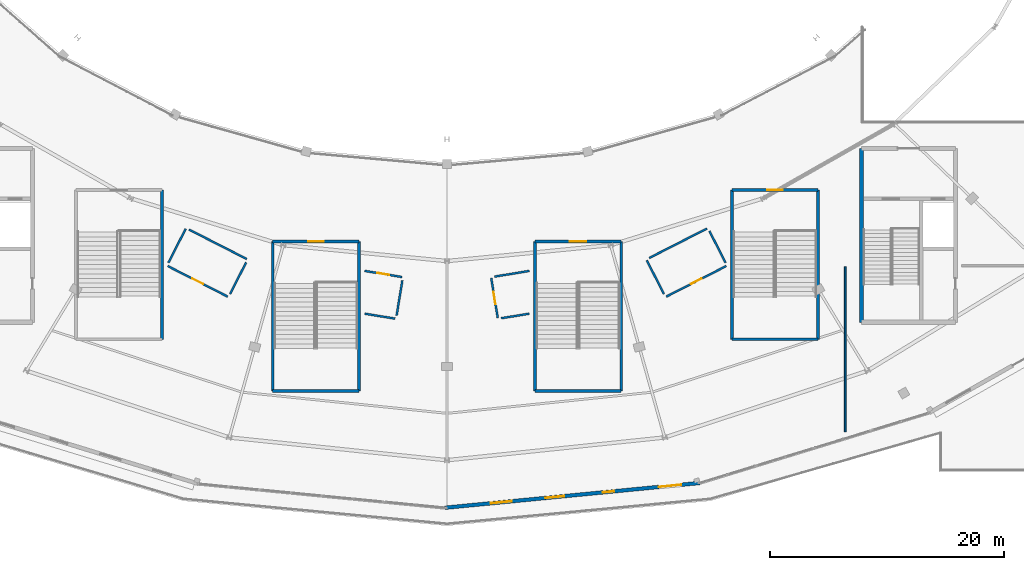
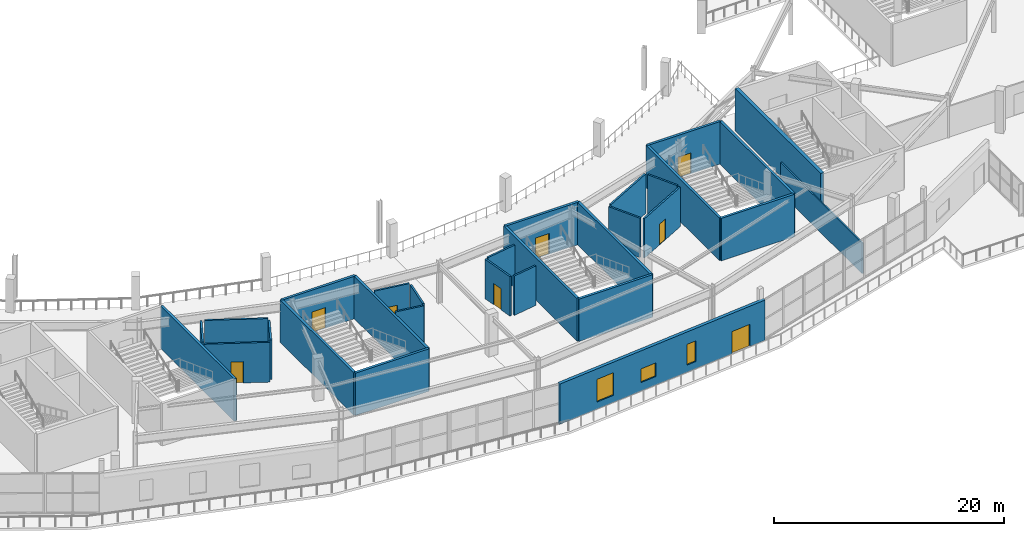
# One storey, part 87 of 123: 30 walls, 8 doors, 3 windows, 11 openings.
"""IFC4 building model written with IfcOpenShell, lengths in metres."""

from ifc_helpers import new_model, si_unit, direction, frame, frame_2d, origin, place, context, subcontext, project, spatial, rectangle, extrude, material, layer, layer_set, type_object, element, fill, save


model = new_model("IFC4")

# Units and contexts
model_context = context("Model", 3, precision=1e-05, world=origin(), true_north=direction((0.0, 1.0)))
body_context = subcontext(model_context, "Body", "Model", "MODEL_VIEW")
ifc_project = project(units=[si_unit("LENGTHUNIT", "METRE"), si_unit("AREAUNIT", "SQUARE_METRE"), si_unit("VOLUMEUNIT", "CUBIC_METRE"), si_unit("PLANEANGLEUNIT", "RADIAN"), si_unit("MASSUNIT", "GRAM", prefix="KILO")], contexts=[model_context])

# Site, building, storey
site_placement = place(None, origin())
site = spatial("IfcSite", under=ifc_project, at=site_placement, CompositionType="ELEMENT")
building_placement = place(site_placement, origin())
building = spatial("IfcBuilding", under=site, at=building_placement, Name="Kalgoora Escarpment Arena", CompositionType="ELEMENT")
storey_placement = place(building_placement, frame((0.0, 0.0, 9.89990234375)))
storey = spatial("IfcBuildingStorey", under=building, at=storey_placement, Name="L02", CompositionType="ELEMENT", Elevation=9.89990234375)

# Wall
ifc_material_1 = material(Name="Concrete N50 (fc' 50 MPa)", Category="concrete")
ifc_layer_1 = layer(ifc_material_1, 0.35009765625)
ifc_layer_set_1 = layer_set([ifc_layer_1], Name="WAL-CORE-350")
wall_type_1 = type_object("IfcWallType", Name="WAL-CORE-350", PredefinedType="SHEAR", material=ifc_layer_set_1)
wall_1_placement = place(storey_placement, frame((127.77490234375, 18.77490234375, 0.0), z_axis=(0.0, 0.0, 1.0), x_axis=(0.0, 1.0, 0.0)))
element("IfcWall", 1, at=wall_1_placement, inside=storey, type_object=wall_type_1, Name="Core C6 L02 west shear wall", PredefinedType="SHEAR", context=body_context, shape_type="SweptSolid", body=[
    extrude(rectangle(XDim=14.85009765625, YDim=0.35009765625, at=frame_2d((7.425048828125, 0.0))), origin(), (0.0, 0.0, 1.0), 4.5),
])

# Wall, openings, door, windows
ifc_material_2 = material(Name="Insulated limestone cladding precast wall 40 MPa", Category="masonry")
ifc_layer_2 = layer(ifc_material_2, 0.31494140625)
ifc_layer_set_2 = layer_set([ifc_layer_2], Name="WAL-EXT-315")
wall_type_2 = type_object("IfcWallType", Name="WAL-EXT-315", PredefinedType="SOLIDWALL", material=ifc_layer_set_2)
wall_2_placement = place(storey_placement, frame((113.996826171875, 5.059814453125, 0.0), z_axis=(0.0, 0.0, 1.0), x_axis=(-0.995299462798, -0.096845130773, 0.0)))
wall_2 = element("IfcWall", 2, at=wall_2_placement, inside=storey, type_object=wall_type_2, Name="L02 limestone-faced external wall 041", PredefinedType="SOLIDWALL", context=body_context, shape_type="SweptSolid", body=[
    extrude(rectangle(XDim=21.89697265625, YDim=0.31494140625, at=frame_2d((10.948486328125, 0.0))), origin(), (0.0, 0.0, 1.0), 4.26513671875),
])
opening_1_placement = place(wall_2_placement, frame((1.595947265625, 0.0, 0.0)))
opening_1 = element("IfcOpeningElement", 3, at=opening_1_placement, cuts=wall_2, Name="Opening TD21", PredefinedType="OPENING", context=body_context, shape_type="SweptSolid", body=[
    extrude(rectangle(XDim=1.949951171875, YDim=2.35009765625, at=frame_2d((0.97509765625, 1.175048828125))), frame((0.0, 0.16748046875, 0.0), z_axis=(0.0, -1.0, 0.0), x_axis=(1.0, 0.0, 0.0)), (0.0, 0.0, 1.0), 0.3349609375),
])
opening_2_placement = place(wall_2_placement, frame((7.375, 0.0, 0.75)))
opening_2 = element("IfcOpeningElement", 4, at=opening_2_placement, cuts=wall_2, Name="Opening W-17", PredefinedType="OPENING", context=body_context, shape_type="SweptSolid", body=[
    extrude(rectangle(XDim=0.949951171875, YDim=2.199951171875, at=frame_2d((0.47509765625, 1.10009765625))), frame((0.0, 0.16748046875, 0.0), z_axis=(0.0, -1.0, 0.0), x_axis=(1.0, 0.0, 0.0)), (0.0, 0.0, 1.0), 0.3349609375),
])
opening_3_placement = place(wall_2_placement, frame((11.64990234375, 0.0, 0.89990234375)))
opening_3 = element("IfcOpeningElement", 5, at=opening_3_placement, cuts=wall_2, Name="Opening W-19", PredefinedType="OPENING", context=body_context, shape_type="SweptSolid", body=[
    extrude(rectangle(XDim=1.60009765625, YDim=1.449951171875, at=frame_2d((0.800048828125, 0.72509765625))), frame((0.0, 0.16748046875, 0.0), z_axis=(0.0, -1.0, 0.0), x_axis=(1.0, 0.0, 0.0)), (0.0, 0.0, 1.0), 0.3349609375),
])
opening_4_placement = place(wall_2_placement, frame((16.14990234375, 0.0, 0.75)))
opening_4 = element("IfcOpeningElement", 6, at=opening_4_placement, cuts=wall_2, Name="Opening W-01", PredefinedType="OPENING", context=body_context, shape_type="SweptSolid", body=[
    extrude(rectangle(XDim=1.800048828125, YDim=2.39990234375, at=frame_2d((0.89990234375, 1.199951171875))), frame((0.0, 0.16748046875, 0.0), z_axis=(0.0, -1.0, 0.0), x_axis=(1.0, 0.0, 0.0)), (0.0, 0.0, 1.0), 0.3349609375),
])
ifc_material_3 = material(Name="Thermally broken aluminium glazed terrace double door", Category="aluminium")
door_type_1 = type_object("IfcDoorType", Name="DR-TERR-1950", OperationType="NOTDEFINED", PredefinedType="DOOR", material=ifc_material_3)
door_1_placement = place(opening_1_placement, origin())
door_1 = element("IfcDoor", 7, at=door_1_placement, inside=storey, type_object=door_type_1, Name="Middle Planted Elliptical Garden Promenade access door TD21", OperationType="DOUBLE_DOOR_SINGLE_SWING", OverallHeight=2.35009765625, OverallWidth=1.949951171875, PredefinedType="DOOR", context=body_context, shape_type="SweptSolid", body=[
    extrude(rectangle(XDim=1.949951171875, YDim=2.35009765625, at=frame_2d((0.97509765625, 1.175048828125))), frame((0.0, 0.02490234375, 0.0), z_axis=(0.0, -1.0, 0.0), x_axis=(1.0, 0.0, 0.0)), (0.0, 0.0, 1.0), 0.050048828125),
])
fill(opening_1, door_1)
ifc_material_4 = material(Name="Low-E solar-control double glazing in champagne frame", Category="glass")
window_type_1 = type_object("IfcWindowType", Name="WIN-BOH-1600x1450", PartitioningType="SINGLE_PANEL", PredefinedType="WINDOW", material=ifc_material_4)
window_1_placement = place(opening_3_placement, origin())
window_1 = element("IfcWindow", 8, at=window_1_placement, inside=storey, type_object=window_type_1, Name="L02 scheduled facade window 037", OverallHeight=1.449951171875, OverallWidth=1.60009765625, PartitioningType="SINGLE_PANEL", PredefinedType="WINDOW", context=body_context, shape_type="SweptSolid", body=[
    extrude(rectangle(XDim=1.60009765625, YDim=1.449951171875, at=frame_2d((0.800048828125, 0.72509765625))), frame((0.0, 0.030029296875, 0.0), z_axis=(0.0, -1.0, 0.0), x_axis=(1.0, 0.0, 0.0)), (0.0, 0.0, 1.0), 0.06005859375),
])
fill(opening_3, window_1)
ifc_material_5 = material(Name="Low-E solar-control double glazing in champagne frame", Category="glass")
window_type_2 = type_object("IfcWindowType", Name="WIN-DECO-1800x2400", PartitioningType="SINGLE_PANEL", PredefinedType="WINDOW", material=ifc_material_5)
window_2_placement = place(opening_4_placement, origin())
window_2 = element("IfcWindow", 9, at=window_2_placement, inside=storey, type_object=window_type_2, Name="L02 scheduled facade window 038", OverallHeight=2.39990234375, OverallWidth=1.800048828125, PartitioningType="SINGLE_PANEL", PredefinedType="WINDOW", context=body_context, shape_type="SweptSolid", body=[
    extrude(rectangle(XDim=1.800048828125, YDim=2.39990234375, at=frame_2d((0.89990234375, 1.199951171875))), frame((0.0, 0.030029296875, 0.0), z_axis=(0.0, -1.0, 0.0), x_axis=(1.0, 0.0, 0.0)), (0.0, 0.0, 1.0), 0.06005859375),
])
fill(opening_4, window_2)
ifc_material_6 = material(Name="Low-E solar-control double glazing in champagne frame", Category="glass")
window_type_3 = type_object("IfcWindowType", Name="WIN-SLOT-0950x2200", PartitioningType="SINGLE_PANEL", PredefinedType="WINDOW", material=ifc_material_6)
window_3_placement = place(opening_2_placement, origin())
window_3 = element("IfcWindow", 10, at=window_3_placement, inside=storey, type_object=window_type_3, Name="L02 scheduled facade window 036", OverallHeight=2.199951171875, OverallWidth=0.949951171875, PartitioningType="SINGLE_PANEL", PredefinedType="WINDOW", context=body_context, shape_type="SweptSolid", body=[
    extrude(rectangle(XDim=0.949951171875, YDim=2.199951171875, at=frame_2d((0.47509765625, 1.10009765625))), frame((0.0, 0.030029296875, 0.0), z_axis=(0.0, -1.0, 0.0), x_axis=(1.0, 0.0, 0.0)), (0.0, 0.0, 1.0), 0.06005859375),
])
fill(opening_2, window_3)

# Walls
ifc_material_7 = material(Name="Insulated steel-stud acoustic partition", Category="steel")
ifc_layer_3 = layer(ifc_material_7, 0.14501953125)
ifc_layer_set_3 = layer_set([ifc_layer_3], Name="WAL-ROOM-145")
wall_type_3 = type_object("IfcWallType", Name="WAL-ROOM-145", PredefinedType="PARTITIONING", material=ifc_layer_set_3)
wall_3_placement = place(storey_placement, frame((126.39990234375, 9.409912109375, 0.0), z_axis=(0.0, 0.0, 1.0), x_axis=(0.0, 1.0, 0.0)))
element("IfcWall", 11, at=wall_3_placement, inside=storey, type_object=wall_type_3, Name="L02 Club Finishing Kitchen partition wall", PredefinedType="PARTITIONING", context=body_context, shape_type="SweptSolid", body=[
    extrude(rectangle(XDim=14.110107421875, YDim=0.14501953125, at=frame_2d((7.05517578125, 0.0))), origin(), (0.0, 0.0, 1.0), 3.2451171875),
])
ifc_material_8 = material(Name="Concrete N50 (fc' 50 MPa)", Category="concrete")
ifc_layer_4 = layer(ifc_material_8, 0.25)
ifc_layer_set_4 = layer_set([ifc_layer_4], Name="WAL-STAIR-250")
wall_type_4 = type_object("IfcWallType", Name="WAL-STAIR-250", PredefinedType="SHEAR", material=ifc_layer_set_4)
wall_4_placement = place(storey_placement, frame((68.074951171875, 17.324951171875, 0.0), z_axis=(0.0, 0.0, 1.0), x_axis=(0.0, 1.0, 0.0)))
element("IfcWall", 12, at=wall_4_placement, inside=storey, type_object=wall_type_4, Name="Exit stair ST13 L02 east wall", PredefinedType="SHEAR", context=body_context, shape_type="SweptSolid", body=[
    extrude(rectangle(XDim=12.75, YDim=0.25, at=frame_2d((6.375, 0.0))), origin(), (0.0, 0.0, 1.0), 4.5),
])
wall_5_placement = place(storey_placement, frame((77.52490234375, 12.925048828125, 0.0), z_axis=(0.0, 0.0, 1.0), x_axis=(1.0, 0.0, 0.0)))
element("IfcWall", 13, at=wall_5_placement, inside=storey, type_object=wall_type_4, Name="Exit stair ST14 L02 south wall", PredefinedType="SHEAR", context=body_context, shape_type="SweptSolid", body=[
    extrude(rectangle(XDim=7.35009765625, YDim=0.25, at=frame_2d((3.675048828125, 0.0))), origin(), (0.0, 0.0, 1.0), 4.5),
])

# Wall, opening, door
wall_6_placement = place(storey_placement, frame((77.52490234375, 25.675048828125, 0.0), z_axis=(0.0, 0.0, 1.0), x_axis=(1.0, 0.0, 0.0)))
wall_6 = element("IfcWall", 14, at=wall_6_placement, inside=storey, type_object=wall_type_4, Name="Exit stair ST14 L02 north wall", PredefinedType="SHEAR", context=body_context, shape_type="SweptSolid", body=[
    extrude(rectangle(XDim=7.35009765625, YDim=0.25, at=frame_2d((3.675048828125, 0.0))), origin(), (0.0, 0.0, 1.0), 4.5),
])
opening_5_placement = place(wall_6_placement, frame((3.014892578125, 0.0, 0.0)))
opening_5 = element("IfcOpeningElement", 15, at=opening_5_placement, cuts=wall_6, Name="Opening FD-ST14", PredefinedType="OPENING", context=body_context, shape_type="SweptSolid", body=[
    extrude(rectangle(XDim=1.320068359375, YDim=2.199951171875, at=frame_2d((0.66015625, 1.10009765625))), frame((0.0, 0.135009765625, 0.0), z_axis=(0.0, -1.0, 0.0), x_axis=(1.0, 0.0, 0.0)), (0.0, 0.0, 1.0), 0.27001953125),
])
ifc_material_9 = material(Name="Fire-rated steel stair leaf with vision panel", Category="steel")
door_type_2 = type_object("IfcDoorType", Name="DR-STAIR-1320", OperationType="NOTDEFINED", PredefinedType="DOOR", material=ifc_material_9)
door_2_placement = place(opening_5_placement, origin())
door_2 = element("IfcDoor", 16, at=door_2_placement, inside=storey, type_object=door_type_2, Name="Fire-isolated stair ST14 L02 egress door", OperationType="SINGLE_SWING_RIGHT", OverallHeight=2.199951171875, OverallWidth=1.320068359375, PredefinedType="DOOR", context=body_context, shape_type="SweptSolid", body=[
    extrude(rectangle(XDim=1.320068359375, YDim=2.199951171875, at=frame_2d((0.66015625, 1.10009765625))), frame((0.0, 0.02490234375, 0.0), z_axis=(0.0, -1.0, 0.0), x_axis=(1.0, 0.0, 0.0)), (0.0, 0.0, 1.0), 0.050048828125),
])
fill(opening_5, door_2)

# Walls
for number, where, z_axis, x_axis, name in (
    (17, (77.52490234375, 12.925048828125, 0.0), (0.0, 0.0, 1.0), (0.0, 1.0, 0.0), "Exit stair ST14 L02 west wall"),
    (18, (84.875, 12.925048828125, 0.0), (0.0, 0.0, 1.0), (0.0, 1.0, 0.0), "Exit stair ST14 L02 east wall"),
):
    element("IfcWall", number, at=place(storey_placement, frame(where, z_axis=z_axis, x_axis=x_axis)), inside=storey, type_object=wall_type_4, Name=name, PredefinedType="SHEAR", context=body_context, shape_type="SweptSolid", body=[
        extrude(rectangle(XDim=12.75, YDim=0.25, at=frame_2d((6.375, 0.0))), origin(), (0.0, 0.0, 1.0), 4.5),
    ])
wall_7_placement = place(storey_placement, frame((99.925048828125, 12.925048828125, 0.0), z_axis=(0.0, 0.0, 1.0), x_axis=(1.0, 0.0, 0.0)))
element("IfcWall", 19, at=wall_7_placement, inside=storey, type_object=wall_type_4, Name="Exit stair ST15 L02 south wall", PredefinedType="SHEAR", context=body_context, shape_type="SweptSolid", body=[
    extrude(rectangle(XDim=7.349853515625, YDim=0.25, at=frame_2d((3.6748046875, 0.0))), origin(), (0.0, 0.0, 1.0), 4.5),
])

# Wall, opening, door
wall_8_placement = place(storey_placement, frame((99.925048828125, 25.675048828125, 0.0), z_axis=(0.0, 0.0, 1.0), x_axis=(1.0, 0.0, 0.0)))
wall_8 = element("IfcWall", 20, at=wall_8_placement, inside=storey, type_object=wall_type_4, Name="Exit stair ST15 L02 north wall", PredefinedType="SHEAR", context=body_context, shape_type="SweptSolid", body=[
    extrude(rectangle(XDim=7.349853515625, YDim=0.25, at=frame_2d((3.6748046875, 0.0))), origin(), (0.0, 0.0, 1.0), 4.5),
])
opening_6_placement = place(wall_8_placement, frame((2.97509765625, 0.0, 0.0)))
opening_6 = element("IfcOpeningElement", 21, at=opening_6_placement, cuts=wall_8, Name="Opening FD-ST15", PredefinedType="OPENING", context=body_context, shape_type="SweptSolid", body=[
    extrude(rectangle(XDim=1.39990234375, YDim=2.199951171875, at=frame_2d((0.699951171875, 1.10009765625))), frame((0.0, 0.135009765625, 0.0), z_axis=(0.0, -1.0, 0.0), x_axis=(1.0, 0.0, 0.0)), (0.0, 0.0, 1.0), 0.27001953125),
])
ifc_material_10 = material(Name="Fire-rated steel stair leaf with vision panel", Category="steel")
door_type_3 = type_object("IfcDoorType", Name="DR-STAIR-1400", OperationType="NOTDEFINED", PredefinedType="DOOR", material=ifc_material_10)
door_3_placement = place(opening_6_placement, origin())
door_3 = element("IfcDoor", 22, at=door_3_placement, inside=storey, type_object=door_type_3, Name="Fire-isolated stair ST15 L02 egress door", OperationType="SINGLE_SWING_LEFT", OverallHeight=2.199951171875, OverallWidth=1.39990234375, PredefinedType="DOOR", context=body_context, shape_type="SweptSolid", body=[
    extrude(rectangle(XDim=1.39990234375, YDim=2.199951171875, at=frame_2d((0.699951171875, 1.10009765625))), frame((0.0, 0.02490234375, 0.0), z_axis=(0.0, -1.0, 0.0), x_axis=(1.0, 0.0, 0.0)), (0.0, 0.0, 1.0), 0.050048828125),
])
fill(opening_6, door_3)

# Walls
for number, where, z_axis, x_axis, name in (
    (23, (99.925048828125, 12.925048828125, 0.0), (0.0, 0.0, 1.0), (0.0, 1.0, 0.0), "Exit stair ST15 L02 west wall"),
    (24, (107.27490234375, 12.925048828125, 0.0), (0.0, 0.0, 1.0), (0.0, 1.0, 0.0), "Exit stair ST15 L02 east wall"),
):
    element("IfcWall", number, at=place(storey_placement, frame(where, z_axis=z_axis, x_axis=x_axis)), inside=storey, type_object=wall_type_4, Name=name, PredefinedType="SHEAR", context=body_context, shape_type="SweptSolid", body=[
        extrude(rectangle(XDim=12.75, YDim=0.25, at=frame_2d((6.375, 0.0))), origin(), (0.0, 0.0, 1.0), 4.5),
    ])
wall_9_placement = place(storey_placement, frame((116.72509765625, 17.324951171875, 0.0), z_axis=(0.0, 0.0, 1.0), x_axis=(1.0, 0.0, 0.0)))
element("IfcWall", 25, at=wall_9_placement, inside=storey, type_object=wall_type_4, Name="Exit stair ST16 L02 south wall", PredefinedType="SHEAR", context=body_context, shape_type="SweptSolid", body=[
    extrude(rectangle(XDim=7.349853515625, YDim=0.25, at=frame_2d((3.6748046875, 0.0))), origin(), (0.0, 0.0, 1.0), 4.5),
])

# Wall, opening, door
wall_10_placement = place(storey_placement, frame((116.72509765625, 30.074951171875, 0.0), z_axis=(0.0, 0.0, 1.0), x_axis=(1.0, 0.0, 0.0)))
wall_10 = element("IfcWall", 26, at=wall_10_placement, inside=storey, type_object=wall_type_4, Name="Exit stair ST16 L02 north wall", PredefinedType="SHEAR", context=body_context, shape_type="SweptSolid", body=[
    extrude(rectangle(XDim=7.349853515625, YDim=0.25, at=frame_2d((3.6748046875, 0.0))), origin(), (0.0, 0.0, 1.0), 4.5),
])
opening_7_placement = place(wall_10_placement, frame((3.014892578125, 0.0, 0.0)))
opening_7 = element("IfcOpeningElement", 27, at=opening_7_placement, cuts=wall_10, Name="Opening FD-ST16", PredefinedType="OPENING", context=body_context, shape_type="SweptSolid", body=[
    extrude(rectangle(XDim=1.320068359375, YDim=2.199951171875, at=frame_2d((0.66015625, 1.10009765625))), frame((0.0, 0.135009765625, 0.0), z_axis=(0.0, -1.0, 0.0), x_axis=(1.0, 0.0, 0.0)), (0.0, 0.0, 1.0), 0.27001953125),
])
door_4_placement = place(opening_7_placement, origin())
door_4 = element("IfcDoor", 28, at=door_4_placement, inside=storey, type_object=door_type_2, Name="Fire-isolated stair ST16 L02 egress door", OperationType="SINGLE_SWING_LEFT", OverallHeight=2.199951171875, OverallWidth=1.320068359375, PredefinedType="DOOR", context=body_context, shape_type="SweptSolid", body=[
    extrude(rectangle(XDim=1.320068359375, YDim=2.199951171875, at=frame_2d((0.66015625, 1.10009765625))), frame((0.0, 0.02490234375, 0.0), z_axis=(0.0, -1.0, 0.0), x_axis=(1.0, 0.0, 0.0)), (0.0, 0.0, 1.0), 0.050048828125),
])
fill(opening_7, door_4)

# Walls
for number, where, z_axis, x_axis, name in (
    (29, (116.72509765625, 17.324951171875, 0.0), (0.0, 0.0, 1.0), (0.0, 1.0, 0.0), "Exit stair ST16 L02 west wall"),
    (30, (124.074951171875, 17.324951171875, 0.0), (0.0, 0.0, 1.0), (0.0, 1.0, 0.0), "Exit stair ST16 L02 east wall"),
):
    element("IfcWall", number, at=place(storey_placement, frame(where, z_axis=z_axis, x_axis=x_axis)), inside=storey, type_object=wall_type_4, Name=name, PredefinedType="SHEAR", context=body_context, shape_type="SweptSolid", body=[
        extrude(rectangle(XDim=12.75, YDim=0.25, at=frame_2d((6.375, 0.0))), origin(), (0.0, 0.0, 1.0), 4.5),
    ])

# Wall, opening, door
ifc_material_11 = material(Name="Twin-stud acoustic plasterboard FRL -/60/60", Category="gypsum")
ifc_layer_5 = layer(ifc_material_11, 0.175048828125)
ifc_layer_set_5 = layer_set([ifc_layer_5], Name="WAL-SUITE-175")
wall_type_5 = type_object("IfcWallType", Name="WAL-SUITE-175", PredefinedType="PARTITIONING", material=ifc_layer_set_5)
wall_11_placement = place(storey_placement, frame((73.676025390625, 20.96630859375, 0.0), z_axis=(0.0, 0.0, 1.0), x_axis=(-0.890831838742, 0.454333176297, 0.0)))
wall_11 = element("IfcWall", 31, at=wall_11_placement, inside=storey, type_object=wall_type_5, Name="L02 Hospitality Suite HS13 partition wall", PredefinedType="PARTITIONING", context=body_context, shape_type="SweptSolid", body=[
    extrude(rectangle(XDim=5.73583984375, YDim=0.175048828125, at=frame_2d((2.867919921875, 0.0))), origin(), (0.0, 0.0, 1.0), 4.22021484375),
])
opening_8_placement = place(wall_11_placement, frame((2.343017578125, 0.0, 0.0)))
opening_8 = element("IfcOpeningElement", 32, at=opening_8_placement, cuts=wall_11, Name="Opening FD-I088", PredefinedType="OPENING", context=body_context, shape_type="SweptSolid", body=[
    extrude(rectangle(XDim=1.050048828125, YDim=2.25, at=frame_2d((0.52490234375, 1.125))), frame((0.0, 0.097412109375, 0.0), z_axis=(0.0, -1.0, 0.0), x_axis=(1.0, 0.0, 0.0)), (0.0, 0.0, 1.0), 0.195068359375),
])
ifc_material_12 = material(Name="Veneered timber acoustic suite entrance door", Category="wood")
door_type_4 = type_object("IfcDoorType", Name="DR-SUITE-1050", OperationType="NOTDEFINED", PredefinedType="DOOR", material=ifc_material_12)
door_5_placement = place(opening_8_placement, origin())
door_5 = element("IfcDoor", 33, at=door_5_placement, inside=storey, type_object=door_type_4, Name="Hospitality Suite HS13 entrance door", OperationType="SINGLE_SWING_RIGHT", OverallHeight=2.25, OverallWidth=1.050048828125, PredefinedType="DOOR", context=body_context, shape_type="SweptSolid", body=[
    extrude(rectangle(XDim=1.050048828125, YDim=2.25, at=frame_2d((0.52490234375, 1.125))), frame((0.0, 0.02490234375, 0.0), z_axis=(0.0, -1.0, 0.0), x_axis=(1.0, 0.0, 0.0)), (0.0, 0.0, 1.0), 0.050048828125),
])
fill(opening_8, door_5)

# Walls
wall_12_placement = place(storey_placement, frame((68.6201171875, 23.86279296875, 0.0), z_axis=(0.0, 0.0, 1.0), x_axis=(0.454320096684, 0.890838509354, 0.0)))
element("IfcWall", 34, at=wall_12_placement, inside=storey, type_object=wall_type_5, Name="L02 Hospitality Suite HS13 partition wall", PredefinedType="PARTITIONING", context=body_context, shape_type="SweptSolid", body=[
    extrude(rectangle(XDim=3.236572265625, YDim=0.175048828125, at=frame_2d((1.6181640625, 0.0))), origin(), (0.0, 0.0, 1.0), 4.22021484375),
])
wall_13_placement = place(storey_placement, frame((70.380615234375, 26.688232421875, 0.0), z_axis=(0.0, 0.0, 1.0), x_axis=(0.890825995052, -0.454344634105, 0.0)))
element("IfcWall", 35, at=wall_13_placement, inside=storey, type_object=wall_type_5, Name="L02 Hospitality Suite HS13 partition wall", PredefinedType="PARTITIONING", context=body_context, shape_type="SweptSolid", body=[
    extrude(rectangle(XDim=5.53515625, YDim=0.175048828125, at=frame_2d((2.767578125, 0.0))), origin(), (0.0, 0.0, 1.0), 4.22021484375),
])
wall_14_placement = place(storey_placement, frame((75.253662109375, 23.88330078125, 0.0), z_axis=(0.0, 0.0, 1.0), x_axis=(-0.454385541569, -0.890805129988, 0.0)))
element("IfcWall", 36, at=wall_14_placement, inside=storey, type_object=wall_type_5, Name="L02 Hospitality Suite HS13 partition wall", PredefinedType="PARTITIONING", context=body_context, shape_type="SweptSolid", body=[
    extrude(rectangle(XDim=3.0302734375, YDim=0.175048828125, at=frame_2d((1.51513671875, 0.0))), origin(), (0.0, 0.0, 1.0), 4.22021484375),
])
wall_15_placement = place(storey_placement, frame((87.974609375, 19.0849609375, 0.0), z_axis=(0.0, 0.0, 1.0), x_axis=(-0.986934384221, 0.161122690026, 0.0)))
element("IfcWall", 37, at=wall_15_placement, inside=storey, type_object=wall_type_5, Name="L02 Hospitality Suite HS14 partition wall", PredefinedType="PARTITIONING", context=body_context, shape_type="SweptSolid", body=[
    extrude(rectangle(XDim=2.635009765625, YDim=0.175048828125, at=frame_2d((1.3173828125, 0.0))), origin(), (0.0, 0.0, 1.0), 4.22021484375),
])

# Wall, opening, door
wall_16_placement = place(storey_placement, frame((85.3740234375, 23.1572265625, 0.0), z_axis=(0.0, 0.0, 1.0), x_axis=(0.986933126632, -0.161130393026, 0.0)))
wall_16 = element("IfcWall", 38, at=wall_16_placement, inside=storey, type_object=wall_type_5, Name="L02 Hospitality Suite HS14 partition wall", PredefinedType="PARTITIONING", context=body_context, shape_type="SweptSolid", body=[
    extrude(rectangle(XDim=3.22265625, YDim=0.175048828125, at=frame_2d((1.611328125, 0.0))), origin(), (0.0, 0.0, 1.0), 4.22021484375),
])
opening_9_placement = place(wall_16_placement, frame((1.111328125, 0.0, 0.0)))
opening_9 = element("IfcOpeningElement", 39, at=opening_9_placement, cuts=wall_16, Name="Opening FD-I089", PredefinedType="OPENING", context=body_context, shape_type="SweptSolid", body=[
    extrude(rectangle(XDim=1.0, YDim=2.199951171875, at=frame_2d((0.5, 1.10009765625))), frame((0.0, 0.097412109375, 0.0), z_axis=(0.0, -1.0, 0.0), x_axis=(1.0, 0.0, 0.0)), (0.0, 0.0, 1.0), 0.195068359375),
])
ifc_material_13 = material(Name="Veneered timber acoustic suite entrance door", Category="wood")
door_type_5 = type_object("IfcDoorType", Name="DR-SUITE-1000", OperationType="NOTDEFINED", PredefinedType="DOOR", material=ifc_material_13)
door_6_placement = place(opening_9_placement, origin())
door_6 = element("IfcDoor", 40, at=door_6_placement, inside=storey, type_object=door_type_5, Name="Hospitality Suite HS14 entrance door", OperationType="SINGLE_SWING_LEFT", OverallHeight=2.199951171875, OverallWidth=1.0, PredefinedType="DOOR", context=body_context, shape_type="SweptSolid", body=[
    extrude(rectangle(XDim=1.0, YDim=2.199951171875, at=frame_2d((0.5, 1.10009765625))), frame((0.0, 0.02490234375, 0.0), z_axis=(0.0, -1.0, 0.0), x_axis=(1.0, 0.0, 0.0)), (0.0, 0.0, 1.0), 0.050048828125),
])
fill(opening_9, door_6)

# Wall
wall_17_placement = place(storey_placement, frame((88.587890625, 22.343994140625, 0.0), z_axis=(0.0, 0.0, 1.0), x_axis=(-0.161131898902, -0.986932880776, 0.0)))
element("IfcWall", 41, at=wall_17_placement, inside=storey, type_object=wall_type_5, Name="L02 Hospitality Suite HS14 partition wall", PredefinedType="PARTITIONING", context=body_context, shape_type="SweptSolid", body=[
    extrude(rectangle(XDim=3.0302734375, YDim=0.175048828125, at=frame_2d((1.51513671875, 0.0))), origin(), (0.0, 0.0, 1.0), 4.22021484375),
])

# Wall, opening, door
wall_18_placement = place(storey_placement, frame((96.7333984375, 19.151123046875, 0.0), z_axis=(0.0, 0.0, 1.0), x_axis=(-0.161117789867, 0.986935184188, 0.0)))
wall_18 = element("IfcWall", 42, at=wall_18_placement, inside=storey, type_object=wall_type_5, Name="L02 Hospitality Suite HS15 partition wall", PredefinedType="PARTITIONING", context=body_context, shape_type="SweptSolid", body=[
    extrude(rectangle(XDim=3.439697265625, YDim=0.175048828125, at=frame_2d((1.7197265625, 0.0))), origin(), (0.0, 0.0, 1.0), 4.18017578125),
])
opening_10_placement = place(wall_18_placement, frame((1.19482421875, 0.0, 0.0)))
opening_10 = element("IfcOpeningElement", 43, at=opening_10_placement, cuts=wall_18, Name="Opening FD-I090", PredefinedType="OPENING", context=body_context, shape_type="SweptSolid", body=[
    extrude(rectangle(XDim=1.050048828125, YDim=2.25, at=frame_2d((0.52490234375, 1.125))), frame((0.0, 0.097412109375, 0.0), z_axis=(0.0, -1.0, 0.0), x_axis=(1.0, 0.0, 0.0)), (0.0, 0.0, 1.0), 0.195068359375),
])
door_7_placement = place(opening_10_placement, origin())
door_7 = element("IfcDoor", 44, at=door_7_placement, inside=storey, type_object=door_type_4, Name="Hospitality Suite HS15 entrance door", OperationType="SINGLE_SWING_RIGHT", OverallHeight=2.25, OverallWidth=1.050048828125, PredefinedType="DOOR", context=body_context, shape_type="SweptSolid", body=[
    extrude(rectangle(XDim=1.050048828125, YDim=2.25, at=frame_2d((0.52490234375, 1.125))), frame((0.0, 0.02490234375, 0.0), z_axis=(0.0, -1.0, 0.0), x_axis=(1.0, 0.0, 0.0)), (0.0, 0.0, 1.0), 0.050048828125),
])
fill(opening_10, door_7)

# Walls
wall_19_placement = place(storey_placement, frame((96.447509765625, 22.6708984375, 0.0), z_axis=(0.0, 0.0, 1.0), x_axis=(0.98693078035, 0.16114476348, 0.0)))
element("IfcWall", 45, at=wall_19_placement, inside=storey, type_object=wall_type_5, Name="L02 Hospitality Suite HS15 partition wall", PredefinedType="PARTITIONING", context=body_context, shape_type="SweptSolid", body=[
    extrude(rectangle(XDim=3.01806640625, YDim=0.175048828125, at=frame_2d((1.509033203125, 0.0))), origin(), (0.0, 0.0, 1.0), 4.18017578125),
])
wall_20_placement = place(storey_placement, frame((99.426025390625, 19.509521484375, 0.0), z_axis=(0.0, 0.0, 1.0), x_axis=(-0.986934184777, -0.161123911693, 0.0)))
element("IfcWall", 46, at=wall_20_placement, inside=storey, type_object=wall_type_5, Name="L02 Hospitality Suite HS15 partition wall", PredefinedType="PARTITIONING", context=body_context, shape_type="SweptSolid", body=[
    extrude(rectangle(XDim=2.430419921875, YDim=0.175048828125, at=frame_2d((1.21533203125, 0.0))), origin(), (0.0, 0.0, 1.0), 4.18017578125),
])

# Wall, opening, door
wall_21_placement = place(storey_placement, frame((116.233642578125, 23.572265625, 0.0), z_axis=(0.0, 0.0, 1.0), x_axis=(-0.890840624342, -0.454315949557, 0.0)))
wall_21 = element("IfcWall", 47, at=wall_21_placement, inside=storey, type_object=wall_type_5, Name="L02 Hospitality Suite HS16 partition wall", PredefinedType="PARTITIONING", context=body_context, shape_type="SweptSolid", body=[
    extrude(rectangle(XDim=5.736083984375, YDim=0.175048828125, at=frame_2d((2.8681640625, 0.0))), origin(), (0.0, 0.0, 1.0), 4.18017578125),
])
opening_11_placement = place(wall_21_placement, frame((2.367919921875, 0.0, 0.0)))
opening_11 = element("IfcOpeningElement", 48, at=opening_11_placement, cuts=wall_21, Name="Opening FD-I091", PredefinedType="OPENING", context=body_context, shape_type="SweptSolid", body=[
    extrude(rectangle(XDim=1.0, YDim=2.199951171875, at=frame_2d((0.5, 1.10009765625))), frame((0.0, 0.097412109375, 0.0), z_axis=(0.0, -1.0, 0.0), x_axis=(1.0, 0.0, 0.0)), (0.0, 0.0, 1.0), 0.195068359375),
])
door_8_placement = place(opening_11_placement, origin())
door_8 = element("IfcDoor", 49, at=door_8_placement, inside=storey, type_object=door_type_5, Name="Hospitality Suite HS16 entrance door", OperationType="SINGLE_SWING_LEFT", OverallHeight=2.199951171875, OverallWidth=1.0, PredefinedType="DOOR", context=body_context, shape_type="SweptSolid", body=[
    extrude(rectangle(XDim=1.0, YDim=2.199951171875, at=frame_2d((0.5, 1.10009765625))), frame((0.0, 0.02490234375, 0.0), z_axis=(0.0, -1.0, 0.0), x_axis=(1.0, 0.0, 0.0)), (0.0, 0.0, 1.0), 0.050048828125),
])
fill(opening_11, door_8)

# Walls
wall_22_placement = place(storey_placement, frame((110.92333984375, 21.183837890625, 0.0), z_axis=(0.0, 0.0, 1.0), x_axis=(-0.454353030946, 0.890821712393, 0.0)))
element("IfcWall", 50, at=wall_22_placement, inside=storey, type_object=wall_type_5, Name="L02 Hospitality Suite HS16 partition wall", PredefinedType="PARTITIONING", context=body_context, shape_type="SweptSolid", body=[
    extrude(rectangle(XDim=3.2353515625, YDim=0.175048828125, at=frame_2d((1.61767578125, 0.0))), origin(), (0.0, 0.0, 1.0), 4.18017578125),
])
wall_23_placement = place(storey_placement, frame((109.6708984375, 24.266357421875, 0.0), z_axis=(0.0, 0.0, 1.0), x_axis=(0.890825995052, 0.454344634105, 0.0)))
element("IfcWall", 51, at=wall_23_placement, inside=storey, type_object=wall_type_5, Name="L02 Hospitality Suite HS16 partition wall", PredefinedType="PARTITIONING", context=body_context, shape_type="SweptSolid", body=[
    extrude(rectangle(XDim=5.53515625, YDim=0.175048828125, at=frame_2d((2.767578125, 0.0))), origin(), (0.0, 0.0, 1.0), 4.18017578125),
])
wall_24_placement = place(storey_placement, frame((114.802490234375, 26.563720703125, 0.0), z_axis=(0.0, 0.0, 1.0), x_axis=(0.454317775379, -0.890839693197, 0.0)))
element("IfcWall", 52, at=wall_24_placement, inside=storey, type_object=wall_type_5, Name="L02 Hospitality Suite HS16 partition wall", PredefinedType="PARTITIONING", context=body_context, shape_type="SweptSolid", body=[
    extrude(rectangle(XDim=3.031982421875, YDim=0.175048828125, at=frame_2d((1.51611328125, 0.0))), origin(), (0.0, 0.0, 1.0), 4.18017578125),
])

save(model, "model.ifc")
